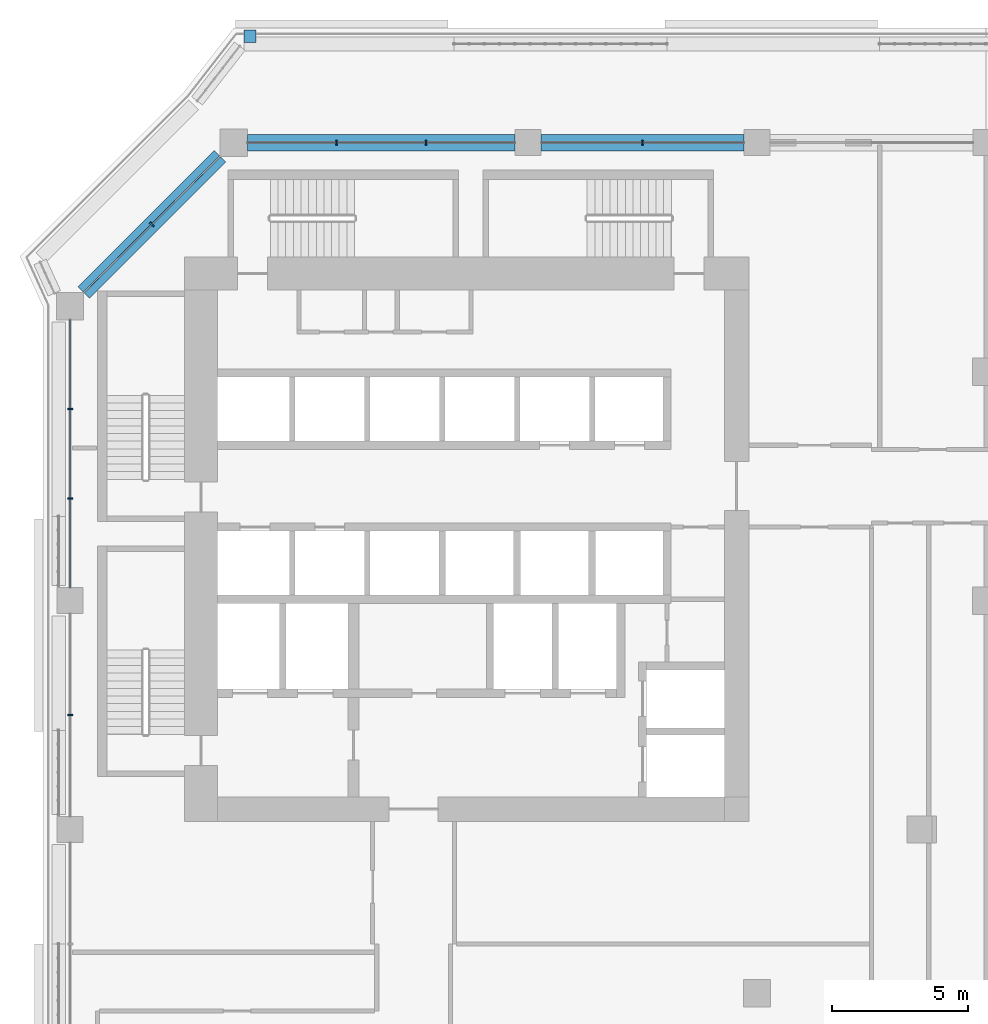
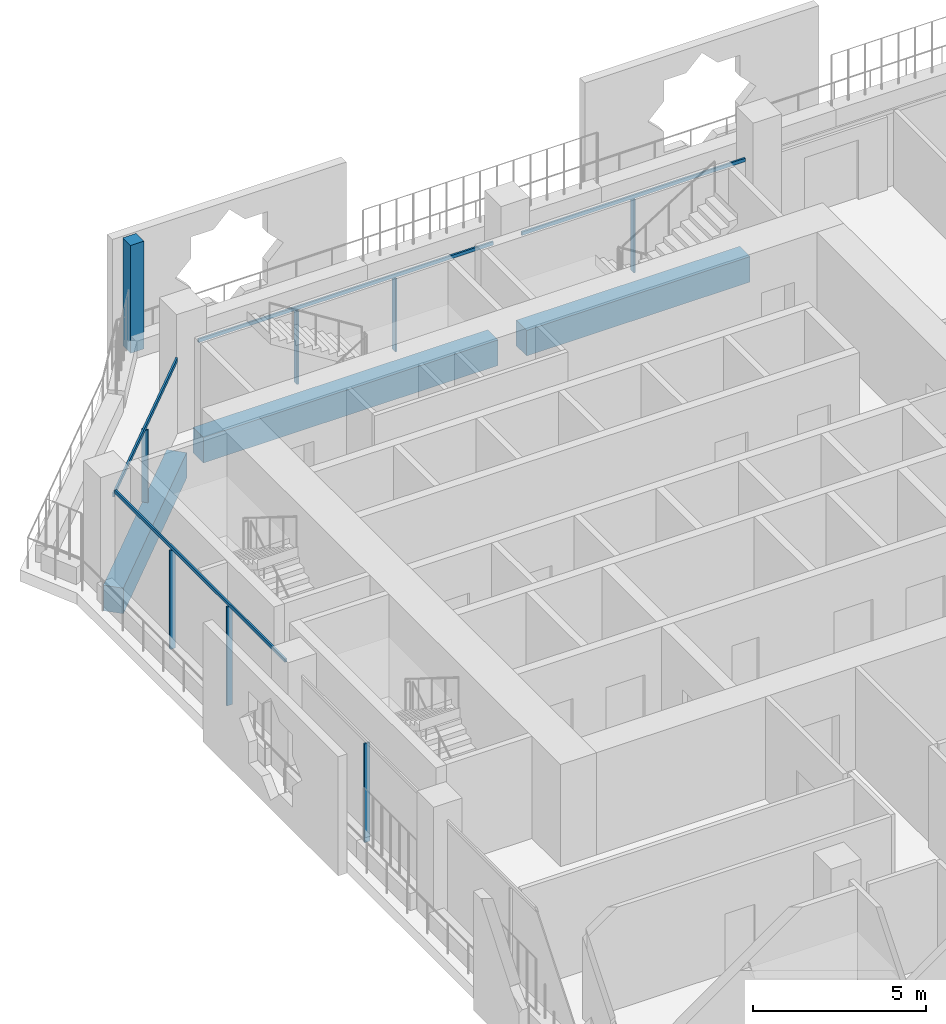
# One storey, part 5 of 24: 12 members, 3 beams, 4 elements without a shape of their own.
"""IFC4 building model written with IfcOpenShell, lengths in metres."""

from ifc_helpers import new_model, si_unit, direction, frame, origin, origin_2d, place, context, subcontext, project, spatial, rectangle, extrude, material, layer, layer_set, material_profile, profile_set, type_object, element, aggregate, save


model = new_model("IFC4")

# Units and contexts
model_context = context("Model", 3, precision=1e-05, world=origin(), true_north=direction((0.0, 1.0)))
body_context = subcontext(model_context, "Body", "Model", "MODEL_VIEW")
ifc_project = project(units=[si_unit("LENGTHUNIT", "METRE"), si_unit("AREAUNIT", "SQUARE_METRE"), si_unit("VOLUMEUNIT", "CUBIC_METRE"), si_unit("PLANEANGLEUNIT", "RADIAN"), si_unit("MASSUNIT", "GRAM", prefix="KILO")], contexts=[model_context])

# Site, building, storey
site_placement = place(None, origin())
site = spatial("IfcSite", under=ifc_project, at=site_placement, CompositionType="ELEMENT")
building_placement = place(site_placement, origin())
building = spatial("IfcBuilding", under=site, at=building_placement, Name="Kawkab Arch Medical Tower", CompositionType="ELEMENT")
storey_placement = place(building_placement, frame((0.0, 0.0, 162.60009765625)))
storey = spatial("IfcBuildingStorey", under=building, at=storey_placement, Name="L37", CompositionType="ELEMENT", Elevation=162.60009765625)

# Curtain wall, members
ifc_material_1 = material(Name="Bronze anodised aluminium curtain wall frame", Category="aluminium")
ifc_layer_1 = layer(ifc_material_1, 0.159912109375)
ifc_layer_set_1 = layer_set([ifc_layer_1], Name="Bronze anodised aluminium curtain wall frame")
curtain_wall_type_1 = type_object("IfcCurtainWallType", Name="CW1 ward curtain wall", PredefinedType="NOTDEFINED", material=ifc_layer_set_1)
placement = place(storey_placement, origin())
curtain_wall_1 = element("IfcCurtainWall", 1, at=placement, inside=storey, type_object=curtain_wall_type_1, Name="CW1 Ward curtain wall R09", PredefinedType="NOTDEFINED")
ifc_material_2 = material(Name="Bronze anodised aluminium curtain wall frame", Category="aluminium")
ifc_material_profile_1 = material_profile(ifc_material_2, rectangle(XDim=0.179931640625, YDim=0.06005859375, at=origin_2d()), Name="AL 60x180")
ifc_profile_set_1 = profile_set([ifc_material_profile_1], Name="Bronze anodised aluminium curtain wall frame")
member_type_1 = type_object("IfcMemberType", Name="CW1 mullion 60 x 180", PredefinedType="MULLION", material=ifc_profile_set_1)
member_1_placement = place(storey_placement, frame((21.0, 0.0, 0.0), z_axis=(0.0, 0.0, 1.0), x_axis=(0.0, -1.0, 0.0)))
member_1 = element("IfcMember", 2, at=member_1_placement, type_object=member_type_1, Name="CW1 mullion 5.1", PredefinedType="MULLION", context=body_context, shape_type="SweptSolid", body=[
    extrude(rectangle(XDim=0.179931640625, YDim=0.06005859375, at=origin_2d()), origin(), (0.0, 0.0, 1.0), 2.579833984375),
])
member_2_placement = place(storey_placement, frame((13.050048828125, 0.0, 0.0), z_axis=(0.0, 0.0, 1.0), x_axis=(0.0, -1.0, 0.0)))
member_2 = element("IfcMember", 3, at=member_2_placement, type_object=member_type_1, Name="CW1 mullion 6.1", PredefinedType="MULLION", context=body_context, shape_type="SweptSolid", body=[
    extrude(rectangle(XDim=0.179931640625, YDim=0.06005859375, at=origin_2d()), origin(), (0.0, 0.0, 1.0), 2.579833984375),
])
member_3_placement = place(storey_placement, frame((9.77490234375, 0.0, 0.0), z_axis=(0.0, 0.0, 1.0), x_axis=(0.0, -1.0, 0.0)))
member_3 = element("IfcMember", 4, at=member_3_placement, type_object=member_type_1, Name="CW1 mullion 6.2", PredefinedType="MULLION", context=body_context, shape_type="SweptSolid", body=[
    extrude(rectangle(XDim=0.179931640625, YDim=0.06005859375, at=origin_2d()), origin(), (0.0, 0.0, 1.0), 2.579833984375),
])

curtain_wall_2 = element("IfcCurtainWall", 5, at=placement, inside=storey, type_object=curtain_wall_type_1, Name="CW1 Ward curtain wall R11", PredefinedType="NOTDEFINED")
member_4_placement = place(storey_placement, frame((0.0, -9.77490234375, 0.0), z_axis=(0.0, 0.0, 1.0), x_axis=(1.0, 0.0, 0.0)))
member_4 = element("IfcMember", 6, at=member_4_placement, type_object=member_type_1, Name="CW1 mullion 1.1", PredefinedType="MULLION", context=body_context, shape_type="SweptSolid", body=[
    extrude(rectangle(XDim=0.179931640625, YDim=0.06005859375, at=origin_2d()), origin(), (0.0, 0.0, 1.0), 3.47998046875),
])
member_5_placement = place(storey_placement, frame((0.0, -13.050048828125, 0.0), z_axis=(0.0, 0.0, 1.0), x_axis=(1.0, 0.0, 0.0)))
member_5 = element("IfcMember", 7, at=member_5_placement, type_object=member_type_1, Name="CW1 mullion 1.2", PredefinedType="MULLION", context=body_context, shape_type="SweptSolid", body=[
    extrude(rectangle(XDim=0.179931640625, YDim=0.06005859375, at=origin_2d()), origin(), (0.0, 0.0, 1.0), 3.47998046875),
])
member_6_placement = place(storey_placement, frame((0.0, -21.0, 0.0), z_axis=(0.0, 0.0, 1.0), x_axis=(1.0, 0.0, 0.0)))
member_6 = element("IfcMember", 8, at=member_6_placement, type_object=member_type_1, Name="CW1 mullion 2.1", PredefinedType="MULLION", context=body_context, shape_type="SweptSolid", body=[
    extrude(rectangle(XDim=0.179931640625, YDim=0.06005859375, at=origin_2d()), origin(), (0.0, 0.0, 1.0), 3.47998046875),
])

# Member
ifc_material_3 = material(Name="Bronze anodised aluminium curtain wall frame", Category="aluminium")
ifc_material_profile_2 = material_profile(ifc_material_3, rectangle(XDim=0.06005859375, YDim=0.1201171875, at=origin_2d()), Name="AL 60x120")
ifc_profile_set_2 = profile_set([ifc_material_profile_2], Name="Bronze anodised aluminium curtain wall frame")
member_type_2 = type_object("IfcMemberType", Name="CW1 transom 120 x 60", PredefinedType="USERDEFINED", material=ifc_profile_set_2)
member_7_placement = place(storey_placement, frame((24.72509765625, 0.0, 2.639892578125), z_axis=(-1.0, 0.0, 0.0), x_axis=(0.0, -1.0, 0.0)))
member_7 = element("IfcMember", 9, at=member_7_placement, type_object=member_type_2, Name="CW1 transom 5", ObjectType="TRANSOM", PredefinedType="USERDEFINED", context=body_context, shape_type="SweptSolid", body=[
    extrude(rectangle(XDim=0.06005859375, YDim=0.1201171875, at=origin_2d()), origin(), (0.0, 0.0, 1.0), 7.4501953125),
])

member_8_placement = place(storey_placement, frame((16.324951171875, 0.0, 2.639892578125), z_axis=(-1.0, 0.0, 0.0), x_axis=(0.0, -1.0, 0.0)))
member_8 = element("IfcMember", 10, at=member_8_placement, type_object=member_type_2, Name="CW1 transom 6", ObjectType="TRANSOM", PredefinedType="USERDEFINED", context=body_context, shape_type="SweptSolid", body=[
    extrude(rectangle(XDim=0.06005859375, YDim=0.1201171875, at=origin_2d()), origin(), (0.0, 0.0, 1.0), 9.824951171875),
])

aggregate(curtain_wall_1, [member_7, member_1, member_8, member_2, member_3])

member_9_placement = place(storey_placement, frame((0.0, -6.5, 3.539794921875), z_axis=(0.0, -1.0, 0.0), x_axis=(1.0, 0.0, 0.0)))
member_9 = element("IfcMember", 11, at=member_9_placement, type_object=member_type_2, Name="CW1 transom 1", ObjectType="TRANSOM", PredefinedType="USERDEFINED", context=body_context, shape_type="SweptSolid", body=[
    extrude(rectangle(XDim=0.06005859375, YDim=0.1201171875, at=origin_2d()), origin(), (0.0, 0.0, 1.0), 9.824951171875),
])

aggregate(curtain_wall_2, [member_9, member_4, member_5, member_6])

# Curtain wall, members
ifc_material_4 = material(Name="Bronze anodised aluminium curtain wall frame", Category="aluminium")
ifc_layer_2 = layer(ifc_material_4, 0.159912109375)
ifc_layer_set_2 = layer_set([ifc_layer_2], Name="Bronze anodised aluminium curtain wall frame")
curtain_wall_type_2 = type_object("IfcCurtainWallType", Name="CW2 chamfer curtain wall", PredefinedType="NOTDEFINED", material=ifc_layer_set_2)
curtain_wall_3 = element("IfcCurtainWall", 12, at=placement, inside=storey, type_object=curtain_wall_type_2, Name="CW2 Chamfer curtain wall R10", PredefinedType="NOTDEFINED")
ifc_material_5 = material(Name="Bronze anodised aluminium curtain wall frame", Category="aluminium")
ifc_material_profile_3 = material_profile(ifc_material_5, rectangle(XDim=0.199951171875, YDim=0.06005859375, at=origin_2d()), Name="AL 60x200")
ifc_profile_set_3 = profile_set([ifc_material_profile_3], Name="Bronze anodised aluminium curtain wall frame")
member_type_3 = type_object("IfcMemberType", Name="CW2 mullion 60 x 200", PredefinedType="MULLION", material=ifc_profile_set_3)
member_10_placement = place(storey_placement, frame((3.0, -3.0, 0.0), z_axis=(0.0, 0.0, 1.0), x_axis=(0.707106781187, -0.707106781187, 0.0)))
member_10 = element("IfcMember", 13, at=member_10_placement, type_object=member_type_3, Name="CW2 mullion 1.1", PredefinedType="MULLION", context=body_context, shape_type="SweptSolid", body=[
    extrude(rectangle(XDim=0.199951171875, YDim=0.06005859375, at=origin_2d()), origin(), (0.0, 0.0, 1.0), 2.559814453125),
])
ifc_material_6 = material(Name="Bronze anodised aluminium curtain wall frame", Category="aluminium")
ifc_material_profile_4 = material_profile(ifc_material_6, rectangle(XDim=0.06005859375, YDim=0.139892578125, at=origin_2d()), Name="AL 60x140")
ifc_profile_set_4 = profile_set([ifc_material_profile_4], Name="Bronze anodised aluminium curtain wall frame")
member_type_4 = type_object("IfcMemberType", Name="CW2 transom 140 x 60", PredefinedType="USERDEFINED", material=ifc_profile_set_4)
member_11_placement = place(storey_placement, frame((5.5, -0.5, 2.6298828125), z_axis=(-0.707106781187, -0.707106781187, 0.0), x_axis=(0.707106781187, -0.707106781187, 0.0)))
member_11 = element("IfcMember", 14, at=member_11_placement, type_object=member_type_4, Name="CW2 transom 1", ObjectType="TRANSOM", PredefinedType="USERDEFINED", context=body_context, shape_type="SweptSolid", body=[
    extrude(rectangle(XDim=0.06005859375, YDim=0.139892578125, at=origin_2d()), origin(), (0.0, 0.0, 1.0), 7.071044921875),
])
aggregate(curtain_wall_3, [member_11, member_10])

# Curtain wall, member
ifc_material_7 = material(Name="Bronze anodised aluminium climber frame, planted", Category="aluminium")
ifc_layer_3 = layer(ifc_material_7, 0.449951171875)
ifc_layer_set_3 = layer_set([ifc_layer_3], Name="Bronze anodised aluminium climber frame, planted")
curtain_wall_type_3 = type_object("IfcCurtainWallType", Name="Planted climber frame", PredefinedType="NOTDEFINED", material=ifc_layer_set_3)
curtain_wall_4 = element("IfcCurtainWall", 15, at=placement, inside=storey, type_object=curtain_wall_type_3, Name="Planted climber frame L37", PredefinedType="NOTDEFINED")
ifc_material_8 = material(Name="Bronze anodised aluminium climber frame, planted", Category="aluminium")
ifc_material_profile_5 = material_profile(ifc_material_8, rectangle(XDim=0.449951171875, YDim=0.449951171875, at=origin_2d()), Name="Post 450x450")
ifc_profile_set_5 = profile_set([ifc_material_profile_5], Name="Bronze anodised aluminium climber frame, planted")
member_type_5 = type_object("IfcMemberType", Name="Planted climber post 450 x 450", PredefinedType="MULLION", material=ifc_profile_set_5)
member_12_placement = place(storey_placement, frame((6.596923828125, 3.89990234375, 0.0), z_axis=(0.0, 0.0, 1.0), x_axis=(1.0, 0.0, 0.0)))
member_12 = element("IfcMember", 16, at=member_12_placement, type_object=member_type_5, Name="Planted climber post L37.LOG-01-02.1", PredefinedType="MULLION", context=body_context, shape_type="SweptSolid", body=[
    extrude(rectangle(XDim=0.449951171875, YDim=0.449951171875, at=origin_2d()), origin(), (0.0, 0.0, 1.0), 3.7998046875),
])
aggregate(curtain_wall_4, [member_12])

# Beams
ifc_material_9 = material(Name="Concrete C50/60", Category="concrete")
ifc_material_profile_6 = material_profile(ifc_material_9, rectangle(XDim=0.60009765625, YDim=0.89990234375, at=origin_2d()), Name="RC 600x900")
ifc_profile_set_6 = profile_set([ifc_material_profile_6], Name="Concrete C50/60")
beam_type = type_object("IfcBeamType", Name="RC 600x900 beam C50/60", PredefinedType="BEAM", material=ifc_profile_set_6)
beam_1_placement = place(storey_placement, frame((0.5, -5.5, -1.050048828125), z_axis=(0.707106781187, 0.707106781187, 0.0), x_axis=(-0.707106781187, 0.707106781187, 0.0)))
element("IfcBeam", 17, at=beam_1_placement, inside=storey, type_object=beam_type, Name="Overhang edge beam L37-01", PredefinedType="BEAM", context=body_context, shape_type="SweptSolid", body=[
    extrude(rectangle(XDim=0.60009765625, YDim=0.89990234375, at=origin_2d()), origin(), (0.0, 0.0, 1.0), 7.071044921875),
])
beam_2_placement = place(storey_placement, frame((6.5, 0.0, -1.050048828125), z_axis=(1.0, 0.0, 0.0), x_axis=(0.0, 1.0, 0.0)))
element("IfcBeam", 18, at=beam_2_placement, inside=storey, type_object=beam_type, Name="Overhang edge beam L37-02", PredefinedType="BEAM", context=body_context, shape_type="SweptSolid", body=[
    extrude(rectangle(XDim=0.60009765625, YDim=0.89990234375, at=origin_2d()), origin(), (0.0, 0.0, 1.0), 9.824951171875),
])
beam_3_placement = place(storey_placement, frame((17.27490234375, 0.0, -1.050048828125), z_axis=(1.0, 0.0, 0.0), x_axis=(0.0, 1.0, 0.0)))
element("IfcBeam", 19, at=beam_3_placement, inside=storey, type_object=beam_type, Name="Overhang edge beam L37-03", PredefinedType="BEAM", context=body_context, shape_type="SweptSolid", body=[
    extrude(rectangle(XDim=0.60009765625, YDim=0.89990234375, at=origin_2d()), origin(), (0.0, 0.0, 1.0), 7.4501953125),
])

save(model, "model.ifc")
